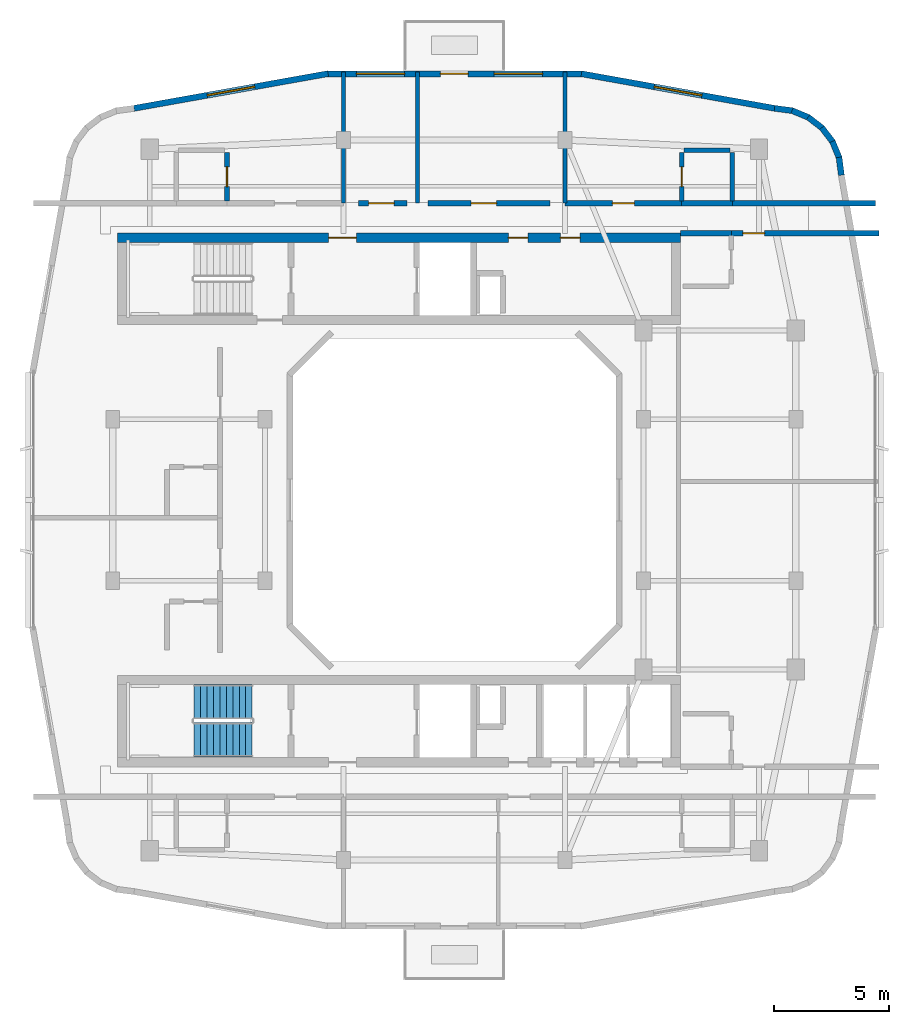
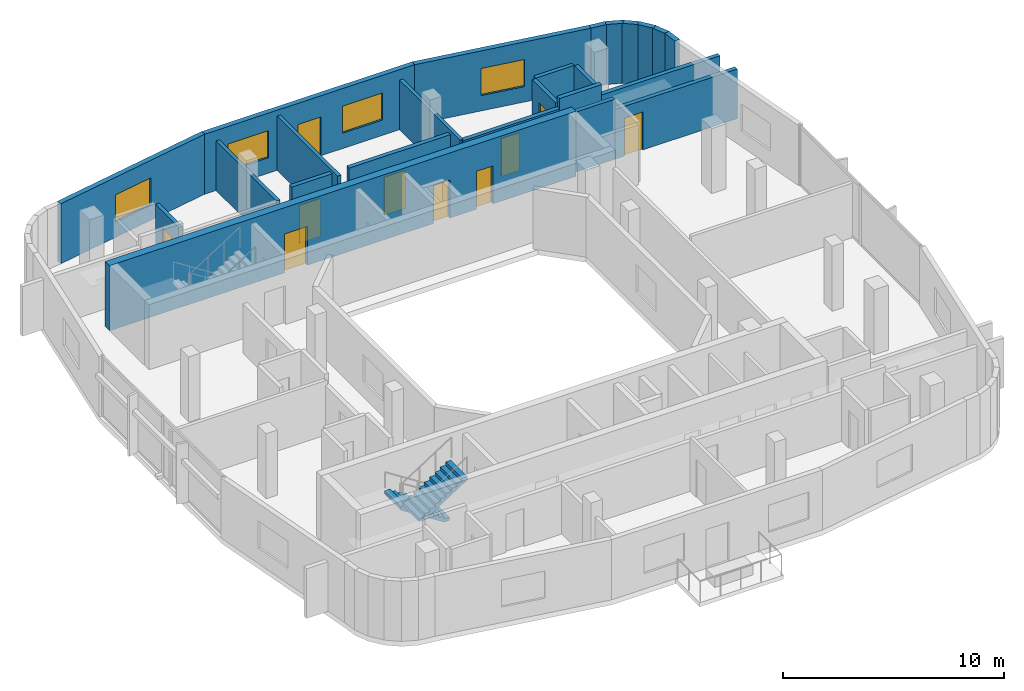
# One storey, part 6 of 10: 24 walls, 10 doors, 4 windows, 2 stair flights, 14 openings, 1 element without a shape of its own.
"""IFC4 building model written with IfcOpenShell, lengths in metres."""

from ifc_helpers import new_model, si_unit, derived_unit, direction, frame, frame_2d, origin, place, context, subcontext, project, spatial, polyline, rectangle, outline, extrude, material, layer, layer_set, type_object, element, fill, aggregate, save


model = new_model("IFC4")

# Units and contexts
model_context = context("Model", 3, precision=1e-05, world=origin(), true_north=direction((0.0, 1.0)))
body_context = subcontext(model_context, "Body", "Model", "MODEL_VIEW")
ifc_project = project(units=[si_unit("LENGTHUNIT", "METRE"), si_unit("AREAUNIT", "SQUARE_METRE"), si_unit("VOLUMEUNIT", "CUBIC_METRE"), si_unit("PLANEANGLEUNIT", "RADIAN"), si_unit("MASSUNIT", "GRAM", prefix="KILO"), derived_unit("THERMALTRANSMITTANCEUNIT", [(si_unit("POWERUNIT", "WATT"), 1), (si_unit("LENGTHUNIT", "METRE"), -2), (si_unit("THERMODYNAMICTEMPERATUREUNIT", "KELVIN"), -1)])], contexts=[model_context])

# Site, building, storey
site_placement = place(None, origin())
site = spatial("IfcSite", under=ifc_project, at=site_placement, CompositionType="ELEMENT")
building_placement = place(site_placement, origin())
building = spatial("IfcBuilding", under=site, at=building_placement, Name="Kivonza Crest Hotel", CompositionType="ELEMENT")
storey_placement = place(building_placement, frame((0.0, 0.0, 243.199951171875)))
storey = spatial("IfcBuildingStorey", under=building, at=storey_placement, Name="L66", CompositionType="ELEMENT", Elevation=243.199951171875)

# Walls
ifc_material_1 = material(Name="High-density acoustic masonry inter-tenancy wall", Category="masonry")
ifc_layer_1 = layer(ifc_material_1, 0.179931640625)
ifc_layer_set_1 = layer_set([ifc_layer_1], Name="High-density acoustic masonry inter-tenancy wall")
wall_type_1 = type_object("IfcWallType", Name="WL-ACOU-180", PredefinedType="SOLIDWALL", material=ifc_layer_set_1)
wall_1_placement = place(storey_placement, frame((16.199951171875, 37.860107421875, 0.0), z_axis=(0.0, 0.0, 1.0), x_axis=(0.0, 1.0, 0.0)))
element("IfcWall", 1, at=wall_1_placement, inside=storey, type_object=wall_type_1, Name="L66 interior partition WA-L66-T1N-DIV1", PredefinedType="SOLIDWALL", context=body_context, shape_type="SweptSolid", body=[
    extrude(rectangle(XDim=5.679931640625, YDim=0.179931640625, at=frame_2d((2.83984375, 0.0))), origin(), (0.0, 0.0, 1.0), 2.7451171875),
])
wall_2_placement = place(storey_placement, frame((19.39990234375, 37.860107421875, 0.0), z_axis=(0.0, 0.0, 1.0), x_axis=(0.0, 1.0, 0.0)))
element("IfcWall", 2, at=wall_2_placement, inside=storey, type_object=wall_type_1, Name="L66 interior partition WA-L66-T1N-SPDIV66", PredefinedType="SOLIDWALL", context=body_context, shape_type="SweptSolid", body=[
    extrude(rectangle(XDim=5.679931640625, YDim=0.179931640625, at=frame_2d((2.83984375, 0.0))), origin(), (0.0, 0.0, 1.0), 2.9951171875),
])
wall_3_placement = place(storey_placement, frame((25.800048828125, 37.860107421875, 0.0), z_axis=(0.0, 0.0, 1.0), x_axis=(0.0, 1.0, 0.0)))
element("IfcWall", 3, at=wall_3_placement, inside=storey, type_object=wall_type_1, Name="L66 interior partition WA-L66-T1N-DIV2", PredefinedType="SOLIDWALL", context=body_context, shape_type="SweptSolid", body=[
    extrude(rectangle(XDim=5.679931640625, YDim=0.179931640625, at=frame_2d((2.83984375, 0.0))), origin(), (0.0, 0.0, 1.0), 2.7451171875),
])

# Wall, opening, door
ifc_material_2 = material(Name="Autoclaved aerated concrete blockwork", Category="masonry")
ifc_layer_2 = layer(ifc_material_2, 0.219970703125)
ifc_layer_set_2 = layer_set([ifc_layer_2], Name="Autoclaved aerated concrete blockwork")
wall_type_2 = type_object("IfcWallType", Name="WL-ACOU-220", PredefinedType="SOLIDWALL", material=ifc_layer_set_2)
wall_4_placement = place(storey_placement, frame((16.85009765625, 37.860107421875, 0.0), z_axis=(0.0, 0.0, 1.0), x_axis=(1.0, 0.0, 0.0)))
wall_4 = element("IfcWall", 4, at=wall_4_placement, inside=storey, type_object=wall_type_2, Name="L66 interior partition WA-L66-Z4-KIT1-S", PredefinedType="SOLIDWALL", context=body_context, shape_type="SweptSolid", body=[
    extrude(rectangle(XDim=2.099853515625, YDim=0.219970703125, at=frame_2d((1.0498046875, 0.0))), origin(), (0.0, 0.0, 1.0), 3.320068359375),
])
opening_1_placement = place(wall_4_placement, frame((0.43994140625, 0.0, 0.0)))
opening_1 = element("IfcOpeningElement", 5, at=opening_1_placement, cuts=wall_4, Name="Opening DF-60M", PredefinedType="OPENING", context=body_context, shape_type="SweptSolid", body=[
    extrude(rectangle(XDim=1.10009765625, YDim=2.10009765625, at=frame_2d((0.550048828125, 1.050048828125))), frame((0.0, 0.1201171875, 0.0), z_axis=(0.0, -1.0, 0.0), x_axis=(1.0, 0.0, 0.0)), (0.0, 0.0, 1.0), 0.239990234375),
])
ifc_material_3 = material(Name="Hardwood timber oak", Category="wood")
door_type_1 = type_object("IfcDoorType", Name="DR-FD60-1100", OperationType="NOTDEFINED", PredefinedType="DOOR", material=ifc_material_3)
door_1_placement = place(opening_1_placement, origin())
door_1 = element("IfcDoor", 6, at=door_1_placement, inside=storey, type_object=door_type_1, Name="L66 Crown Private Catering Kitchen door", OperationType="SINGLE_SWING_RIGHT", OverallHeight=2.10009765625, OverallWidth=1.10009765625, PredefinedType="DOOR", context=body_context, shape_type="SweptSolid", body=[
    extrude(rectangle(XDim=1.10009765625, YDim=2.10009765625, at=frame_2d((0.550048828125, 1.050048828125))), frame((0.0, 0.02490234375, 0.0), z_axis=(0.0, -1.0, 0.0), x_axis=(1.0, 0.0, 0.0)), (0.0, 0.0, 1.0), 0.050048828125),
])
fill(opening_1, door_1)

wall_5_placement = place(storey_placement, frame((19.85009765625, 37.860107421875, 0.0), z_axis=(0.0, 0.0, 1.0), x_axis=(1.0, 0.0, 0.0)))
wall_5 = element("IfcWall", 7, at=wall_5_placement, inside=storey, type_object=wall_type_2, Name="L66 interior partition WA-L66-Z4-KIT2-S", PredefinedType="SOLIDWALL", context=body_context, shape_type="SweptSolid", body=[
    extrude(rectangle(XDim=5.2998046875, YDim=0.219970703125, at=frame_2d((2.64990234375, 0.0))), origin(), (0.0, 0.0, 1.0), 3.320068359375),
])
opening_2_placement = place(wall_5_placement, frame((1.8798828125, 0.0, 0.0)))
opening_2 = element("IfcOpeningElement", 8, at=opening_2_placement, cuts=wall_5, Name="Opening DF-60M", PredefinedType="OPENING", context=body_context, shape_type="SweptSolid", body=[
    extrude(rectangle(XDim=1.10009765625, YDim=2.10009765625, at=frame_2d((0.550048828125, 1.050048828125))), frame((0.0, 0.1201171875, 0.0), z_axis=(0.0, -1.0, 0.0), x_axis=(1.0, 0.0, 0.0)), (0.0, 0.0, 1.0), 0.239990234375),
])
door_2_placement = place(opening_2_placement, origin())
door_2 = element("IfcDoor", 9, at=door_2_placement, inside=storey, type_object=door_type_1, Name="L66 Crown Sommelier Tasting Kitchen door", OperationType="SINGLE_SWING_LEFT", OverallHeight=2.10009765625, OverallWidth=1.10009765625, PredefinedType="DOOR", context=body_context, shape_type="SweptSolid", body=[
    extrude(rectangle(XDim=1.10009765625, YDim=2.10009765625, at=frame_2d((0.550048828125, 1.050048828125))), frame((0.0, 0.02490234375, 0.0), z_axis=(0.0, -1.0, 0.0), x_axis=(1.0, 0.0, 0.0)), (0.0, 0.0, 1.0), 0.050048828125),
])
fill(opening_2, door_2)

# Walls
wall_6_placement = place(storey_placement, frame((33.050048828125, 37.860107421875, 0.0), z_axis=(0.0, 0.0, 1.0), x_axis=(1.0, 0.0, 0.0)))
element("IfcWall", 10, at=wall_6_placement, inside=storey, type_object=wall_type_2, Name="L66 interior partition WA-L66-N02-XCORR", PredefinedType="SOLIDWALL", context=body_context, shape_type="SweptSolid", body=[
    extrude(rectangle(XDim=6.18994140625, YDim=0.219970703125, at=frame_2d((3.094970703125, 0.0))), origin(), (0.0, 0.0, 1.0), 2.7451171875),
])
wall_7_placement = place(storey_placement, frame((30.85009765625, 37.860107421875, 0.0), z_axis=(0.0, 0.0, 1.0), x_axis=(1.0, 0.0, 0.0)))
element("IfcWall", 11, at=wall_7_placement, inside=storey, type_object=wall_type_2, Name="L66 interior partition WA-L66-N02-BCORR", PredefinedType="SOLIDWALL", context=body_context, shape_type="SweptSolid", body=[
    extrude(rectangle(XDim=2.199951171875, YDim=0.219970703125, at=frame_2d((1.10009765625, 0.0))), origin(), (0.0, 0.0, 1.0), 3.320068359375),
])

# Wall, opening, door
wall_8_placement = place(storey_placement, frame((25.800048828125, 37.860107421875, 0.0), z_axis=(0.0, 0.0, 1.0), x_axis=(1.0, 0.0, 0.0)))
wall_8 = element("IfcWall", 12, at=wall_8_placement, inside=storey, type_object=wall_type_2, Name="L66 interior partition WA-L66-N02-MCORR", PredefinedType="SOLIDWALL", context=body_context, shape_type="SweptSolid", body=[
    extrude(rectangle(XDim=5.050048828125, YDim=0.219970703125, at=frame_2d((2.52490234375, 0.0))), origin(), (0.0, 0.0, 1.0), 2.7451171875),
])
opening_3_placement = place(wall_8_placement, frame((2.050048828125, 0.0, 0.0)))
opening_3 = element("IfcOpeningElement", 13, at=opening_3_placement, cuts=wall_8, Name="Opening DU-60", PredefinedType="OPENING", context=body_context, shape_type="SweptSolid", body=[
    extrude(rectangle(XDim=0.949951171875, YDim=2.10009765625, at=frame_2d((0.47509765625, 1.050048828125))), frame((0.0, 0.1201171875, 0.0), z_axis=(0.0, -1.0, 0.0), x_axis=(1.0, 0.0, 0.0)), (0.0, 0.0, 1.0), 0.239990234375),
])
door_type_2 = type_object("IfcDoorType", Name="DR-UNIT-950", OperationType="NOTDEFINED", PredefinedType="DOOR", material=ifc_material_3)
door_3_placement = place(opening_3_placement, origin())
door_3 = element("IfcDoor", 14, at=door_3_placement, inside=storey, type_object=door_type_2, Name="L66 N02 guest unit entrance fire door", OperationType="SINGLE_SWING_RIGHT", OverallHeight=2.10009765625, OverallWidth=0.949951171875, PredefinedType="DOOR", context=body_context, shape_type="SweptSolid", body=[
    extrude(rectangle(XDim=0.949951171875, YDim=2.10009765625, at=frame_2d((0.47509765625, 1.050048828125))), frame((0.0, 0.02490234375, 0.0), z_axis=(0.0, -1.0, 0.0), x_axis=(1.0, 0.0, 0.0)), (0.0, 0.0, 1.0), 0.050048828125),
])
fill(opening_3, door_3)

# Wall
wall_9_placement = place(storey_placement, frame((30.800048828125, 36.56005859375, 0.0), z_axis=(0.0, 0.0, 1.0), x_axis=(1.0, 0.0, 0.0)))
element("IfcWall", 15, at=wall_9_placement, inside=storey, type_object=wall_type_2, Name="L66 interior partition WA-L66-EN08-BCORR", PredefinedType="SOLIDWALL", context=body_context, shape_type="SweptSolid", body=[
    extrude(rectangle(XDim=2.199951171875, YDim=0.219970703125, at=frame_2d((1.10009765625, 0.0))), origin(), (0.0, 0.0, 1.0), 3.320068359375),
])

# Wall, opening, door
wall_10_placement = place(storey_placement, frame((33.0, 36.56005859375, 0.0), z_axis=(0.0, 0.0, 1.0), x_axis=(1.0, 0.0, 0.0)))
wall_10 = element("IfcWall", 16, at=wall_10_placement, inside=storey, type_object=wall_type_2, Name="L66 interior partition WA-L66-EN08-MCORR", PredefinedType="SOLIDWALL", context=body_context, shape_type="SweptSolid", body=[
    extrude(rectangle(XDim=6.39990234375, YDim=0.219970703125, at=frame_2d((3.199951171875, 0.0))), origin(), (0.0, 0.0, 1.0), 2.7451171875),
])
opening_4_placement = place(wall_10_placement, frame((0.5, 0.0, 0.0)))
opening_4 = element("IfcOpeningElement", 17, at=opening_4_placement, cuts=wall_10, Name="Opening DU-60", PredefinedType="OPENING", context=body_context, shape_type="SweptSolid", body=[
    extrude(rectangle(XDim=0.949951171875, YDim=2.10009765625, at=frame_2d((0.47509765625, 1.050048828125))), frame((0.0, 0.1201171875, 0.0), z_axis=(0.0, -1.0, 0.0), x_axis=(1.0, 0.0, 0.0)), (0.0, 0.0, 1.0), 0.239990234375),
])
door_4_placement = place(opening_4_placement, frame((0.949951171875, 0.0, 0.0), z_axis=(0.0, 0.0, 1.0), x_axis=(-1.0, 0.0, 0.0)))
door_4 = element("IfcDoor", 18, at=door_4_placement, inside=storey, type_object=door_type_2, Name="L66 EN08 guest unit entrance fire door", OperationType="SINGLE_SWING_LEFT", OverallHeight=2.10009765625, OverallWidth=0.949951171875, PredefinedType="DOOR", context=body_context, shape_type="SweptSolid", body=[
    extrude(rectangle(XDim=0.949951171875, YDim=2.10009765625, at=frame_2d((0.47509765625, 1.050048828125))), frame((0.0, 0.02490234375, 0.0), z_axis=(0.0, -1.0, 0.0), x_axis=(1.0, 0.0, 0.0)), (0.0, 0.0, 1.0), 0.050048828125),
])
fill(opening_4, door_4)

# Wall, openings, doors
ifc_material_4 = material(Name="Concrete C50/60", Category="concrete")
ifc_layer_3 = layer(ifc_material_4, 0.39990234375)
ifc_layer_set_3 = layer_set([ifc_layer_3], Name="Concrete C50/60")
wall_type_3 = type_object("IfcWallType", Name="WL-CORE-400", PredefinedType="SHEAR", material=ifc_layer_set_3)
wall_11_placement = place(storey_placement, frame((6.39990234375, 36.360107421875, 0.0), z_axis=(0.0, 0.0, 1.0), x_axis=(1.0, 0.0, 0.0)))
wall_11 = element("IfcWall", 19, at=wall_11_placement, inside=storey, type_object=wall_type_3, Name="Core wall T1-N North L66", PredefinedType="SHEAR", context=body_context, shape_type="SweptSolid", body=[
    extrude(rectangle(XDim=24.400146484375, YDim=0.39990234375, at=frame_2d((12.2001953125, 0.0))), origin(), (0.0, 0.0, 1.0), 3.60009765625),
])
opening_5_placement = place(wall_11_placement, frame((9.14990234375, 0.0, 0.0)))
opening_5 = element("IfcOpeningElement", 20, at=opening_5_placement, cuts=wall_11, Name="Opening DF-60", PredefinedType="OPENING", context=body_context, shape_type="SweptSolid", body=[
    extrude(rectangle(XDim=1.199951171875, YDim=2.14990234375, at=frame_2d((0.60009765625, 1.074951171875))), frame((0.0, 0.2099609375, 0.0), z_axis=(0.0, -1.0, 0.0), x_axis=(1.0, 0.0, 0.0)), (0.0, 0.0, 1.0), 0.419921875),
])
opening_6_placement = place(wall_11_placement, frame((19.199951171875, 0.0, 0.0)))
opening_6 = element("IfcOpeningElement", 21, at=opening_6_placement, cuts=wall_11, Name="Opening DF-60R", PredefinedType="OPENING", context=body_context, shape_type="SweptSolid", body=[
    extrude(rectangle(XDim=0.85009765625, YDim=2.10009765625, at=frame_2d((0.425048828125, 1.050048828125))), frame((0.0, 0.2099609375, 0.0), z_axis=(0.0, -1.0, 0.0), x_axis=(1.0, 0.0, 0.0)), (0.0, 0.0, 1.0), 0.419921875),
])
opening_7_placement = place(wall_11_placement, frame((16.93994140625, 0.0, 0.0)))
opening_7 = element("IfcOpeningElement", 22, at=opening_7_placement, cuts=wall_11, Name="Opening DF-60R", PredefinedType="OPENING", context=body_context, shape_type="SweptSolid", body=[
    extrude(rectangle(XDim=0.85009765625, YDim=2.10009765625, at=frame_2d((0.425048828125, 1.050048828125))), frame((0.0, 0.2099609375, 0.0), z_axis=(0.0, -1.0, 0.0), x_axis=(1.0, 0.0, 0.0)), (0.0, 0.0, 1.0), 0.419921875),
])
door_type_3 = type_object("IfcDoorType", Name="DR-FD60-1200", OperationType="NOTDEFINED", PredefinedType="DOOR", material=ifc_material_3)
door_5_placement = place(opening_5_placement, origin())
door_5 = element("IfcDoor", 23, at=door_5_placement, inside=storey, type_object=door_type_3, Name="L66 T1-N firefighting lobby fire door", OperationType="SINGLE_SWING_RIGHT", OverallHeight=2.14990234375, OverallWidth=1.199951171875, PredefinedType="DOOR", context=body_context, shape_type="SweptSolid", body=[
    extrude(rectangle(XDim=1.199951171875, YDim=2.14990234375, at=frame_2d((0.60009765625, 1.074951171875))), frame((0.0, 0.02490234375, 0.0), z_axis=(0.0, -1.0, 0.0), x_axis=(1.0, 0.0, 0.0)), (0.0, 0.0, 1.0), 0.050048828125),
])
fill(opening_5, door_5)
door_type_4 = type_object("IfcDoorType", Name="DR-FD60-850", OperationType="NOTDEFINED", PredefinedType="DOOR", material=ifc_material_3)
door_6_placement = place(opening_6_placement, origin())
door_6 = element("IfcDoor", 24, at=door_6_placement, inside=storey, type_object=door_type_4, Name="L66 T1-N reclaimed core service door", OperationType="SINGLE_SWING_LEFT", OverallHeight=2.10009765625, OverallWidth=0.85009765625, PredefinedType="DOOR", context=body_context, shape_type="SweptSolid", body=[
    extrude(rectangle(XDim=0.85009765625, YDim=2.10009765625, at=frame_2d((0.425048828125, 1.050048828125))), frame((0.0, 0.02490234375, 0.0), z_axis=(0.0, -1.0, 0.0), x_axis=(1.0, 0.0, 0.0)), (0.0, 0.0, 1.0), 0.050048828125),
])
fill(opening_6, door_6)
door_7_placement = place(opening_7_placement, origin())
door_7 = element("IfcDoor", 25, at=door_7_placement, inside=storey, type_object=door_type_4, Name="L66 T1-N core room door", OperationType="SINGLE_SWING_RIGHT", OverallHeight=2.10009765625, OverallWidth=0.85009765625, PredefinedType="DOOR", context=body_context, shape_type="SweptSolid", body=[
    extrude(rectangle(XDim=0.85009765625, YDim=2.10009765625, at=frame_2d((0.425048828125, 1.050048828125))), frame((0.0, 0.02490234375, 0.0), z_axis=(0.0, -1.0, 0.0), x_axis=(1.0, 0.0, 0.0)), (0.0, 0.0, 1.0), 0.050048828125),
])
fill(opening_7, door_7)

# Walls
ifc_material_5 = material(Name="Precast concrete C40/50", Category="concrete")
ifc_layer_4 = layer(ifc_material_5, 0.260009765625)
ifc_layer_set_4 = layer_set([ifc_layer_4], Name="Precast concrete C40/50")
wall_type_4 = type_object("IfcWallType", Name="WL-EXT-260", PredefinedType="STANDARD", material=ifc_layer_set_4)
wall_12_placement = place(storey_placement, frame((37.77197265625, 39.074951171875, 0.0), z_axis=(0.0, 0.0, 1.0), x_axis=(-0.130689052056, 0.991423406861, 0.0)))
element("IfcWall", 26, at=wall_12_placement, inside=storey, type_object=wall_type_4, Name="L66 T1 exterior insulated wall 19", PredefinedType="STANDARD", context=body_context, shape_type="SweptSolid", body=[
    extrude(rectangle(XDim=0.78076171875, YDim=0.260009765625, at=frame_2d((0.390380859375, 0.0))), origin(), (0.0, 0.0, 1.0), 3.320068359375),
])
wall_13_placement = place(storey_placement, frame((37.68798828125, 39.802978515625, 0.0), z_axis=(0.0, 0.0, 1.0), x_axis=(-0.382900540965, 0.923789573295, 0.0)))
element("IfcWall", 27, at=wall_13_placement, inside=storey, type_object=wall_type_4, Name="L66 T1 exterior insulated wall 20", PredefinedType="STANDARD", context=body_context, shape_type="SweptSolid", body=[
    extrude(rectangle(XDim=0.798828125, YDim=0.260009765625, at=frame_2d((0.3994140625, 0.0))), origin(), (0.0, 0.0, 1.0), 3.320068359375),
])
wall_14_placement = place(storey_placement, frame((37.409912109375, 40.5009765625, 0.0), z_axis=(0.0, 0.0, 1.0), x_axis=(-0.608823262828, 0.793305889705, 0.0)))
element("IfcWall", 28, at=wall_14_placement, inside=storey, type_object=wall_type_4, Name="L66 T1 exterior insulated wall 21", PredefinedType="STANDARD", context=body_context, shape_type="SweptSolid", body=[
    extrude(rectangle(XDim=0.798095703125, YDim=0.260009765625, at=frame_2d((0.39892578125, 0.0))), origin(), (0.0, 0.0, 1.0), 3.320068359375),
])
wall_15_placement = place(storey_placement, frame((36.9619140625, 41.10302734375, 0.0), z_axis=(0.0, 0.0, 1.0), x_axis=(-0.793044635519, 0.60916352983, 0.0)))
element("IfcWall", 29, at=wall_15_placement, inside=storey, type_object=wall_type_4, Name="L66 T1 exterior insulated wall 22", PredefinedType="STANDARD", context=body_context, shape_type="SweptSolid", body=[
    extrude(rectangle(XDim=0.7978515625, YDim=0.260009765625, at=frame_2d((0.39892578125, 0.0))), origin(), (0.0, 0.0, 1.0), 3.320068359375),
])
wall_16_placement = place(storey_placement, frame((36.373046875, 41.568115234375, 0.0), z_axis=(0.0, 0.0, 1.0), x_axis=(-0.923789573295, 0.382900540965, 0.0)))
element("IfcWall", 30, at=wall_16_placement, inside=storey, type_object=wall_type_4, Name="L66 T1 exterior insulated wall 23", PredefinedType="STANDARD", context=body_context, shape_type="SweptSolid", body=[
    extrude(rectangle(XDim=0.798828125, YDim=0.260009765625, at=frame_2d((0.3994140625, 0.0))), origin(), (0.0, 0.0, 1.0), 3.320068359375),
])
wall_17_placement = place(storey_placement, frame((35.68408203125, 41.865966796875, 0.0), z_axis=(0.0, 0.0, 1.0), x_axis=(-0.99153354416, 0.129850802102, 0.0)))
element("IfcWall", 31, at=wall_17_placement, inside=storey, type_object=wall_type_4, Name="L66 T1 exterior insulated wall 24", PredefinedType="STANDARD", context=body_context, shape_type="SweptSolid", body=[
    extrude(rectangle(XDim=0.81591796875, YDim=0.260009765625, at=frame_2d((0.407958984375, 0.0))), origin(), (0.0, 0.0, 1.0), 3.320068359375),
])

# Wall, opening, window
wall_18_placement = place(storey_placement, frame((34.885009765625, 41.970947265625, 0.0), z_axis=(0.0, 0.0, 1.0), x_axis=(-0.984367239349, 0.176128186549, 0.0)))
wall_18 = element("IfcWall", 32, at=wall_18_placement, inside=storey, type_object=wall_type_4, Name="L66 T1 exterior insulated wall 25", PredefinedType="STANDARD", context=body_context, shape_type="SweptSolid", body=[
    extrude(rectangle(XDim=8.510986328125, YDim=0.260009765625, at=frame_2d((4.25537109375, 0.0))), origin(), (0.0, 0.0, 1.0), 3.320068359375),
])
opening_8_placement = place(wall_18_placement, frame((3.2060546875, 0.0, 0.85009765625)))
opening_8 = element("IfcOpeningElement", 33, at=opening_8_placement, cuts=wall_18, Name="Opening WN-04", PredefinedType="OPENING", context=body_context, shape_type="SweptSolid", body=[
    extrude(rectangle(XDim=2.10009765625, YDim=1.5, at=frame_2d((1.050048828125, 0.75))), frame((0.0, 0.14013671875, 0.0), z_axis=(0.0, -1.0, 0.0), x_axis=(1.0, 0.0, 0.0)), (0.0, 0.0, 1.0), 0.280029296875),
])
ifc_material_6 = material(Name="Thermally broken bronze aluminium and low-E double glazing", Category="aluminium")
window_type = type_object("IfcWindowType", Name="WN-210x150", PartitioningType="DOUBLE_PANEL_VERTICAL", PredefinedType="WINDOW", material=ifc_material_6)
window_1_placement = place(opening_8_placement, origin())
window_1 = element("IfcWindow", 34, at=window_1_placement, inside=storey, type_object=window_type, Name="L66 T1 facade window 25", OverallHeight=1.5, OverallWidth=2.10009765625, PartitioningType="SINGLE_PANEL", PredefinedType="WINDOW", context=body_context, shape_type="SweptSolid", body=[
    extrude(rectangle(XDim=2.10009765625, YDim=1.5, at=frame_2d((1.050048828125, 0.75))), frame((0.0, 0.030029296875, 0.0), z_axis=(0.0, -1.0, 0.0), x_axis=(1.0, 0.0, 0.0)), (0.0, 0.0, 1.0), 0.06005859375),
])
fill(opening_8, window_1)

# Wall, openings, door, windows
wall_19_placement = place(storey_placement, frame((26.544921875, 43.469970703125, 0.0), z_axis=(0.0, 0.0, 1.0), x_axis=(-1.0, 0.0, 0.0)))
wall_19 = element("IfcWall", 35, at=wall_19_placement, inside=storey, type_object=wall_type_4, Name="L66 T1 exterior insulated wall 26", PredefinedType="STANDARD", context=body_context, shape_type="SweptSolid", body=[
    extrude(rectangle(XDim=11.054931640625, YDim=0.260009765625, at=frame_2d((5.52734375, 0.0))), origin(), (0.0, 0.0, 1.0), 3.320068359375),
])
opening_9_placement = place(wall_19_placement, frame((4.945068359375, 0.0, 0.0)))
opening_9 = element("IfcOpeningElement", 36, at=opening_9_placement, cuts=wall_19, Name="Opening DT-120", PredefinedType="OPENING", context=body_context, shape_type="SweptSolid", body=[
    extrude(rectangle(XDim=1.199951171875, YDim=2.14990234375, at=frame_2d((0.60009765625, 1.074951171875))), frame((0.0, 0.14013671875, 0.0), z_axis=(0.0, -1.0, 0.0), x_axis=(1.0, 0.0, 0.0)), (0.0, 0.0, 1.0), 0.280029296875),
])
opening_10_placement = place(wall_19_placement, frame((1.719970703125, 0.0, 0.85009765625)))
opening_10 = element("IfcOpeningElement", 37, at=opening_10_placement, cuts=wall_19, Name="Opening WN-04", PredefinedType="OPENING", context=body_context, shape_type="SweptSolid", body=[
    extrude(rectangle(XDim=2.10009765625, YDim=1.5, at=frame_2d((1.050048828125, 0.75))), frame((0.0, 0.14013671875, 0.0), z_axis=(0.0, -1.0, 0.0), x_axis=(1.0, 0.0, 0.0)), (0.0, 0.0, 1.0), 0.280029296875),
])
opening_11_placement = place(wall_19_placement, frame((7.695068359375, 0.0, 0.85009765625)))
opening_11 = element("IfcOpeningElement", 38, at=opening_11_placement, cuts=wall_19, Name="Opening WN-04", PredefinedType="OPENING", context=body_context, shape_type="SweptSolid", body=[
    extrude(rectangle(XDim=2.10009765625, YDim=1.5, at=frame_2d((1.050048828125, 0.75))), frame((0.0, 0.14013671875, 0.0), z_axis=(0.0, -1.0, 0.0), x_axis=(1.0, 0.0, 0.0)), (0.0, 0.0, 1.0), 0.280029296875),
])
ifc_material_7 = material(Name="Anodised bronze aluminium and laminated safety glass", Category="aluminium")
door_type_5 = type_object("IfcDoorType", Name="DR-TERR-1200", OperationType="NOTDEFINED", PredefinedType="DOOR", material=ifc_material_7)
door_8_placement = place(opening_9_placement, frame((1.199951171875, 0.0, 0.0), z_axis=(0.0, 0.0, 1.0), x_axis=(-1.0, 0.0, 0.0)))
door_8 = element("IfcDoor", 39, at=door_8_placement, inside=storey, type_object=door_type_5, Name="T1 L66 NE sky-garden bridge access door", OperationType="SINGLE_SWING_LEFT", OverallHeight=2.14990234375, OverallWidth=1.199951171875, PredefinedType="DOOR", context=body_context, shape_type="SweptSolid", body=[
    extrude(rectangle(XDim=1.199951171875, YDim=2.14990234375, at=frame_2d((0.60009765625, 1.074951171875))), frame((0.0, 0.02490234375, 0.0), z_axis=(0.0, -1.0, 0.0), x_axis=(1.0, 0.0, 0.0)), (0.0, 0.0, 1.0), 0.050048828125),
])
fill(opening_9, door_8)
window_2_placement = place(opening_10_placement, origin())
window_2 = element("IfcWindow", 40, at=window_2_placement, inside=storey, type_object=window_type, Name="L66 T1 facade window 26 bay 1", OverallHeight=1.5, OverallWidth=2.10009765625, PartitioningType="SINGLE_PANEL", PredefinedType="WINDOW", context=body_context, shape_type="SweptSolid", body=[
    extrude(rectangle(XDim=2.10009765625, YDim=1.5, at=frame_2d((1.050048828125, 0.75))), frame((0.0, 0.030029296875, 0.0), z_axis=(0.0, -1.0, 0.0), x_axis=(1.0, 0.0, 0.0)), (0.0, 0.0, 1.0), 0.06005859375),
])
fill(opening_10, window_2)
window_3_placement = place(opening_11_placement, origin())
window_3 = element("IfcWindow", 41, at=window_3_placement, inside=storey, type_object=window_type, Name="L66 T1 facade window 26 bay 2", OverallHeight=1.5, OverallWidth=2.10009765625, PartitioningType="SINGLE_PANEL", PredefinedType="WINDOW", context=body_context, shape_type="SweptSolid", body=[
    extrude(rectangle(XDim=2.10009765625, YDim=1.5, at=frame_2d((1.050048828125, 0.75))), frame((0.0, 0.030029296875, 0.0), z_axis=(0.0, -1.0, 0.0), x_axis=(1.0, 0.0, 0.0)), (0.0, 0.0, 1.0), 0.06005859375),
])
fill(opening_11, window_3)

# Wall, opening, window
wall_20_placement = place(storey_placement, frame((15.528076171875, 43.47607421875, 0.0), z_axis=(0.0, 0.0, 1.0), x_axis=(-0.98437102902, -0.176107005047, 0.0)))
wall_20 = element("IfcWall", 42, at=wall_20_placement, inside=storey, type_object=wall_type_4, Name="L66 T1 exterior insulated wall 27", PredefinedType="STANDARD", context=body_context, shape_type="SweptSolid", body=[
    extrude(rectangle(XDim=8.546630859375, YDim=0.260009765625, at=frame_2d((4.2734375, 0.0))), origin(), (0.0, 0.0, 1.0), 3.320068359375),
])
opening_12_placement = place(wall_20_placement, frame((3.222900390625, 0.0, 0.85009765625)))
opening_12 = element("IfcOpeningElement", 43, at=opening_12_placement, cuts=wall_20, Name="Opening WN-04", PredefinedType="OPENING", context=body_context, shape_type="SweptSolid", body=[
    extrude(rectangle(XDim=2.10009765625, YDim=1.5, at=frame_2d((1.050048828125, 0.75))), frame((0.0, 0.14013671875, 0.0), z_axis=(0.0, -1.0, 0.0), x_axis=(1.0, 0.0, 0.0)), (0.0, 0.0, 1.0), 0.280029296875),
])
window_4_placement = place(opening_12_placement, origin())
window_4 = element("IfcWindow", 44, at=window_4_placement, inside=storey, type_object=window_type, Name="L66 T1 facade window 27", OverallHeight=1.5, OverallWidth=2.10009765625, PartitioningType="SINGLE_PANEL", PredefinedType="WINDOW", context=body_context, shape_type="SweptSolid", body=[
    extrude(rectangle(XDim=2.10009765625, YDim=1.5, at=frame_2d((1.050048828125, 0.75))), frame((0.0, 0.030029296875, 0.0), z_axis=(0.0, -1.0, 0.0), x_axis=(1.0, 0.0, 0.0)), (0.0, 0.0, 1.0), 0.06005859375),
])
fill(opening_12, window_4)

# Wall, opening, door
ifc_material_8 = material(Name="Moisture-resistant plumbing chase partition wall", Category="gypsum")
ifc_layer_5 = layer(ifc_material_8, 0.199951171875)
ifc_layer_set_5 = layer_set([ifc_layer_5], Name="Moisture-resistant plumbing chase partition wall")
wall_type_5 = type_object("IfcWallType", Name="WL-PLUMB-200", PredefinedType="PLUMBINGWALL", material=ifc_layer_set_5)
wall_21_placement = place(storey_placement, frame((11.14990234375, 37.9599609375, 0.0), z_axis=(0.0, 0.0, 1.0), x_axis=(0.0, 1.0, 0.0)))
wall_21 = element("IfcWall", 45, at=wall_21_placement, inside=storey, type_object=wall_type_5, Name="L66 interior partition WW-L66-N01-BV", PredefinedType="PLUMBINGWALL", context=body_context, shape_type="SweptSolid", body=[
    extrude(rectangle(XDim=2.10009765625, YDim=0.199951171875, at=frame_2d((1.050048828125, 0.0))), origin(), (0.0, 0.0, 1.0), 2.9951171875),
])
opening_13_placement = place(wall_21_placement, frame((0.625, 0.0, 0.0)))
opening_13 = element("IfcOpeningElement", 46, at=opening_13_placement, cuts=wall_21, Name="Opening DI-85", PredefinedType="OPENING", context=body_context, shape_type="SweptSolid", body=[
    extrude(rectangle(XDim=0.85009765625, YDim=2.10009765625, at=frame_2d((0.425048828125, 1.050048828125))), frame((0.0, 0.10986328125, 0.0), z_axis=(0.0, -1.0, 0.0), x_axis=(1.0, 0.0, 0.0)), (0.0, 0.0, 1.0), 0.219970703125),
])
door_type_6 = type_object("IfcDoorType", Name="DR-INT-850", OperationType="NOTDEFINED", PredefinedType="DOOR", material=ifc_material_3)
door_9_placement = place(opening_13_placement, frame((0.85009765625, 0.0, 0.0), z_axis=(0.0, 0.0, 1.0), x_axis=(-1.0, 0.0, 0.0)))
door_9 = element("IfcDoor", 47, at=door_9_placement, inside=storey, type_object=door_type_6, Name="L66 N01 en-suite bathroom door", OperationType="SINGLE_SWING_RIGHT", OverallHeight=2.10009765625, OverallWidth=0.85009765625, PredefinedType="DOOR", context=body_context, shape_type="SweptSolid", body=[
    extrude(rectangle(XDim=0.85009765625, YDim=2.10009765625, at=frame_2d((0.425048828125, 1.050048828125))), frame((0.0, 0.02490234375, 0.0), z_axis=(0.0, -1.0, 0.0), x_axis=(1.0, 0.0, 0.0)), (0.0, 0.0, 1.0), 0.050048828125),
])
fill(opening_13, door_9)

wall_22_placement = place(storey_placement, frame((30.85009765625, 37.9599609375, 0.0), z_axis=(0.0, 0.0, 1.0), x_axis=(0.0, 1.0, 0.0)))
wall_22 = element("IfcWall", 48, at=wall_22_placement, inside=storey, type_object=wall_type_5, Name="L66 interior partition WW-L66-N02-BV", PredefinedType="PLUMBINGWALL", context=body_context, shape_type="SweptSolid", body=[
    extrude(rectangle(XDim=2.10009765625, YDim=0.199951171875, at=frame_2d((1.050048828125, 0.0))), origin(), (0.0, 0.0, 1.0), 2.9951171875),
])
opening_14_placement = place(wall_22_placement, frame((0.625, 0.0, 0.0)))
opening_14 = element("IfcOpeningElement", 49, at=opening_14_placement, cuts=wall_22, Name="Opening DI-85", PredefinedType="OPENING", context=body_context, shape_type="SweptSolid", body=[
    extrude(rectangle(XDim=0.85009765625, YDim=2.10009765625, at=frame_2d((0.425048828125, 1.050048828125))), frame((0.0, 0.10986328125, 0.0), z_axis=(0.0, -1.0, 0.0), x_axis=(1.0, 0.0, 0.0)), (0.0, 0.0, 1.0), 0.219970703125),
])
door_10_placement = place(opening_14_placement, origin())
door_10 = element("IfcDoor", 50, at=door_10_placement, inside=storey, type_object=door_type_6, Name="L66 N02 en-suite bathroom door", OperationType="SINGLE_SWING_LEFT", OverallHeight=2.10009765625, OverallWidth=0.85009765625, PredefinedType="DOOR", context=body_context, shape_type="SweptSolid", body=[
    extrude(rectangle(XDim=0.85009765625, YDim=2.10009765625, at=frame_2d((0.425048828125, 1.050048828125))), frame((0.0, 0.02490234375, 0.0), z_axis=(0.0, -1.0, 0.0), x_axis=(1.0, 0.0, 0.0)), (0.0, 0.0, 1.0), 0.050048828125),
])
fill(opening_14, door_10)

# Walls
wall_23_placement = place(storey_placement, frame((30.949951171875, 40.159912109375, 0.0), z_axis=(0.0, 0.0, 1.0), x_axis=(1.0, 0.0, 0.0)))
element("IfcWall", 51, at=wall_23_placement, inside=storey, type_object=wall_type_5, Name="L66 interior partition WW-L66-N02-BH", PredefinedType="PLUMBINGWALL", context=body_context, shape_type="SweptSolid", body=[
    extrude(rectangle(XDim=2.0, YDim=0.199951171875, at=frame_2d((1.0, 0.0))), origin(), (0.0, 0.0, 1.0), 3.01513671875),
])
wall_24_placement = place(storey_placement, frame((33.050048828125, 37.9599609375, 0.0), z_axis=(0.0, 0.0, 1.0), x_axis=(0.0, 1.0, 0.0)))
element("IfcWall", 52, at=wall_24_placement, inside=storey, type_object=wall_type_5, Name="L66 interior partition WW-L66-N02-BVE", PredefinedType="PLUMBINGWALL", context=body_context, shape_type="SweptSolid", body=[
    extrude(rectangle(XDim=2.10009765625, YDim=0.199951171875, at=frame_2d((1.050048828125, 0.0))), origin(), (0.0, 0.0, 1.0), 2.9951171875),
])

# Stair, stair flights
ifc_material_9 = material(Name="Concrete C40/50", Category="concrete")
stair_type = type_object("IfcStairType", Name="ST-DL-20R", PredefinedType="HALF_TURN_STAIR", material=ifc_material_9)
stair_placement = place(storey_placement, origin())
stair = element("IfcStair", 53, at=stair_placement, inside=storey, type_object=stair_type, Name="L66 Protected Exit Stair ST-T1-S", PredefinedType="HALF_TURN_STAIR")
stair_flight_type = type_object("IfcStairFlightType", Name="SFL-RC-10R", PredefinedType="STRAIGHT", material=ifc_material_9)
stair_flight_1_placement = place(storey_placement, frame((12.239990234375, 16.25, 0.0), z_axis=(0.0, 0.0, 1.0), x_axis=(-1.0, 0.0, 0.0)))
stair_flight_1 = element("IfcStairFlight", 54, at=stair_flight_1_placement, type_object=stair_flight_type, Name="ST-T1-S flight 1", NumberOfRisers=10, NumberOfTreads=9, PredefinedType="STRAIGHT", RiserHeight=0.18, TreadLength=0.28, context=body_context, shape_type="SweptSolid", body=[
    extrude(outline(polyline([(0.0, 0.0), (0.0, 0.179931640625), (0.280029296875, 0.179931640625), (0.280029296875, 0.360107421875), (0.56005859375, 0.360107421875), (0.56005859375, 0.5400390625), (0.840087890625, 0.5400390625), (0.840087890625, 0.719970703125), (1.1201171875, 0.719970703125), (1.1201171875, 0.89990234375), (1.39990234375, 0.89990234375), (1.39990234375, 1.080078125), (1.679931640625, 1.080078125), (1.679931640625, 1.260009765625), (1.9599609375, 1.260009765625), (1.9599609375, 1.43994140625), (2.239990234375, 1.43994140625), (2.239990234375, 1.6201171875), (2.52001953125, 1.6201171875), (2.52001953125, 1.800048828125), (2.52001953125, 1.44189453125), (0.277099609375, 0.0), (0.0, 0.0)])), frame((0.0, 0.75, 0.0), z_axis=(0.0, -1.0, 0.0), x_axis=(1.0, 0.0, 0.0)), (0.0, 0.0, 1.0), 1.5),
])
stair_flight_2_placement = place(storey_placement, frame((9.719970703125, 14.610107421875, 1.800048828125), z_axis=(0.0, 0.0, 1.0), x_axis=(1.0, 0.0, 0.0)))
stair_flight_2 = element("IfcStairFlight", 55, at=stair_flight_2_placement, type_object=stair_flight_type, Name="ST-T1-S flight 2", NumberOfRisers=10, NumberOfTreads=9, PredefinedType="STRAIGHT", RiserHeight=0.18, TreadLength=0.28, context=body_context, shape_type="SweptSolid", body=[
    extrude(outline(polyline([(0.0, 0.0), (0.0, 0.179931640625), (0.280029296875, 0.179931640625), (0.280029296875, 0.360107421875), (0.56005859375, 0.360107421875), (0.56005859375, 0.5400390625), (0.840087890625, 0.5400390625), (0.840087890625, 0.719970703125), (1.1201171875, 0.719970703125), (1.1201171875, 0.89990234375), (1.39990234375, 0.89990234375), (1.39990234375, 1.080078125), (1.679931640625, 1.080078125), (1.679931640625, 1.260009765625), (1.9599609375, 1.260009765625), (1.9599609375, 1.43994140625), (2.239990234375, 1.43994140625), (2.239990234375, 1.6201171875), (2.52001953125, 1.6201171875), (2.52001953125, 1.800048828125), (2.52001953125, 1.44189453125), (0.277099609375, 0.0), (0.0, 0.0)])), frame((0.0, 0.75, 0.0), z_axis=(0.0, -1.0, 0.0), x_axis=(1.0, 0.0, 0.0)), (0.0, 0.0, 1.0), 1.5),
])
aggregate(stair, [stair_flight_1, stair_flight_2])

save(model, "model.ifc")
